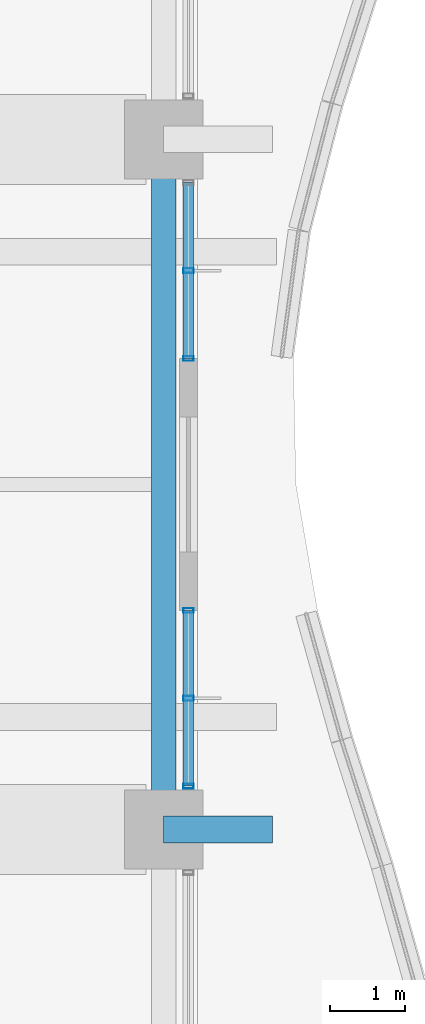
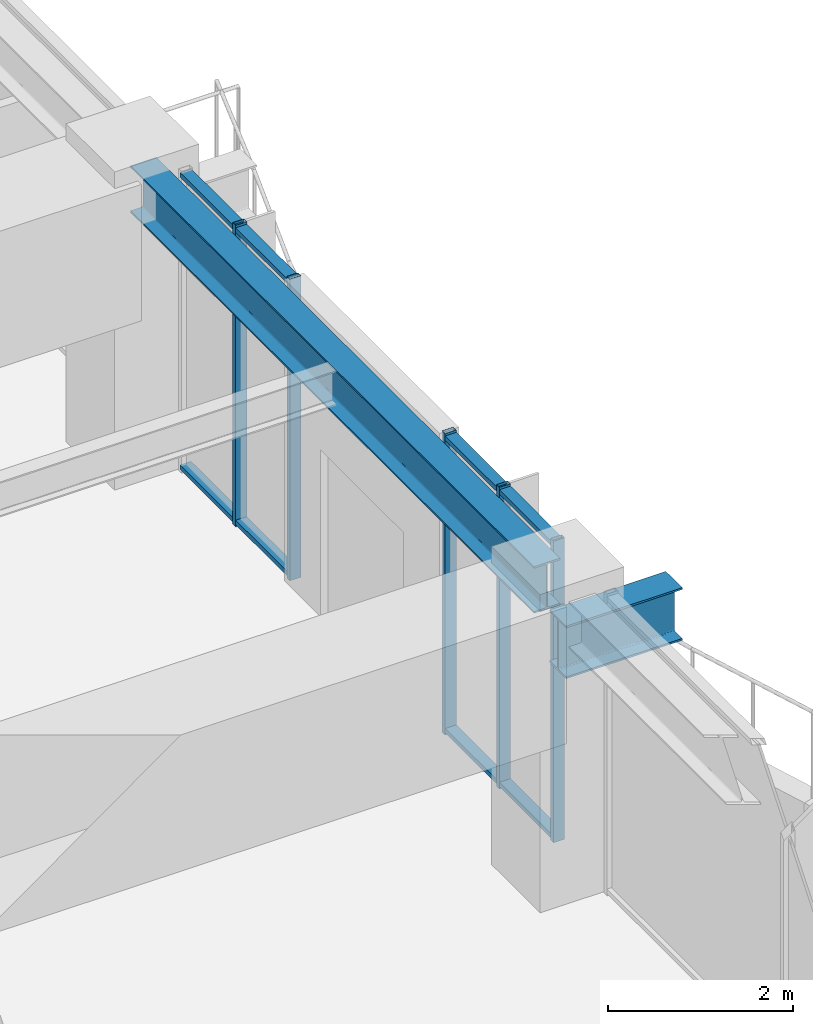
# One storey, part 17 of 40: 9 members, 2 beams, 2 elements without a shape of their own.
"""IFC4 building model written with IfcOpenShell, lengths in metres."""

from ifc_helpers import new_model, si_unit, direction, frame, origin, origin_2d, place, context, subcontext, project, spatial, hollow_rectangle, i_section, extrude, material, material_profile, profile_set, type_object, element, aggregate, save


model = new_model("IFC4")

# Units and contexts
model_context = context("Model", 3, precision=1e-05, world=origin(), true_north=direction((0.0, 1.0)))
body_context = subcontext(model_context, "Body", "Model", "MODEL_VIEW")
ifc_project = project(units=[si_unit("LENGTHUNIT", "METRE"), si_unit("AREAUNIT", "SQUARE_METRE"), si_unit("VOLUMEUNIT", "CUBIC_METRE"), si_unit("PLANEANGLEUNIT", "RADIAN"), si_unit("MASSUNIT", "GRAM", prefix="KILO")], contexts=[model_context])

# Site, building, storey
site_placement = place(None, origin())
site = spatial("IfcSite", under=ifc_project, at=site_placement, CompositionType="ELEMENT")
building_placement = place(site_placement, origin())
building = spatial("IfcBuilding", under=site, at=building_placement, Name="Kolvaren Belvedere", CompositionType="ELEMENT")
storey_placement = place(building_placement, frame((0.0, 0.0, 68.0)))
storey = spatial("IfcBuildingStorey", under=building, at=storey_placement, Name="L19", CompositionType="ELEMENT", Elevation=68.0)

# Beams
ifc_material_1 = material(Name="Structural steel ASTM A992 Grade 50", Category="steel")
ifc_material_profile_1 = material_profile(ifc_material_1, i_section(OverallWidth=0.35498046875, OverallDepth=0.696044921875, WebThickness=0.015380859375, FlangeThickness=0.02490234375, FilletRadius=0.02197265625, at=origin_2d()), Name="W27X146")
ifc_profile_set_1 = profile_set([ifc_material_profile_1], Name="Structural steel ASTM A992 Grade 50")
beam_type_1 = type_object("IfcBeamType", Name="BM-CANT-BAL", PredefinedType="BEAM", material=ifc_profile_set_1)
beam_1_placement = place(storey_placement, frame((19.949951171875, -4.60009765625, 3.0419921875), z_axis=(1.0, 0.0, 0.0), x_axis=(0.0, 1.0, 0.0)))
element("IfcBeam", 1, at=beam_1_placement, inside=storey, type_object=beam_type_1, Name="L19 East Picture-Frame Column Corbel M", PredefinedType="BEAM", context=body_context, shape_type="SweptSolid", body=[
    extrude(i_section(OverallWidth=0.35498046875, OverallDepth=0.696044921875, WebThickness=0.015380859375, FlangeThickness=0.02490234375, FilletRadius=0.02197265625, at=origin_2d()), origin(), (0.0, 0.0, 1.0), 1.449951171875),
])
ifc_material_2 = material(Name="Structural steel ASTM A992 Grade 50", Category="steel")
ifc_material_profile_2 = material_profile(ifc_material_2, i_section(OverallWidth=0.324951171875, OverallDepth=0.615966796875, WebThickness=0.013916015625, FlangeThickness=0.021484375, FilletRadius=0.02001953125, at=origin_2d()), Name="W24X117")
ifc_profile_set_2 = profile_set([ifc_material_profile_2], Name="Structural steel ASTM A992 Grade 50")
beam_type_2 = type_object("IfcBeamType", Name="BM-SPAN-W24X117", PredefinedType="SPANDREL", material=ifc_profile_set_2)
beam_2_placement = place(storey_placement, frame((19.949951171875, -4.36376953125, 3.672119140625), z_axis=(0.0, 1.0, 0.0), x_axis=(-1.0, 0.0, 0.0)))
element("IfcBeam", 2, at=beam_2_placement, inside=storey, type_object=beam_type_2, Name="L19 Perimeter Spandrel E2-E3", PredefinedType="SPANDREL", context=body_context, shape_type="SweptSolid", body=[
    extrude(i_section(OverallWidth=0.324951171875, OverallDepth=0.615966796875, WebThickness=0.013916015625, FlangeThickness=0.021484375, FilletRadius=0.02001953125, at=origin_2d()), origin(), (0.0, 0.0, 1.0), 8.7275390625),
])

# Curtain wall, members
ifc_material_3 = material(Name="Anodised pale-metal aluminium AA 6063-T6", Category="aluminium")
curtain_wall_type = type_object("IfcCurtainWallType", Name="CW-Z2-MID", PredefinedType="NOTDEFINED", material=ifc_material_3)
curtain_wall_1_placement = place(storey_placement, origin())
curtain_wall_1 = element("IfcCurtainWall", 3, at=curtain_wall_1_placement, inside=storey, type_object=curtain_wall_type, Name="L19 Unitised Curtain Wall FCW-L19-E1-B2", PredefinedType="NOTDEFINED")
ifc_material_4 = material(Name="Anodised pale-metal aluminium AA 6063-T6", Category="aluminium")
ifc_material_profile_3 = material_profile(ifc_material_4, hollow_rectangle(XDim=0.06494140625, YDim=0.139892578125, WallThickness=0.00390625, at=origin_2d()), Name="ALU-MUL-140X65")
ifc_profile_set_3 = profile_set([ifc_material_profile_3], Name="Anodised pale-metal aluminium AA 6063-T6")
member_type_1 = type_object("IfcMemberType", Name="CW-MUL-140", PredefinedType="MULLION", material=ifc_profile_set_3)
member_1_placement = place(storey_placement, frame((20.280029296875, 2.851318359375, 0.0), z_axis=(0.0, 0.0, 1.0), x_axis=(0.0, 1.0, 0.0)))
member_1 = element("IfcMember", 4, at=member_1_placement, type_object=member_type_1, Name="FCW-L19-E1-B2 Unitised Mullion 2", PredefinedType="MULLION", context=body_context, shape_type="SweptSolid", body=[
    extrude(hollow_rectangle(XDim=0.06494140625, YDim=0.139892578125, WallThickness=0.00390625, at=origin_2d()), origin(), (0.0, 0.0, 1.0), 3.97998046875),
])
member_2_placement = place(storey_placement, frame((20.280029296875, 1.679931640625, 0.0), z_axis=(0.0, 0.0, 1.0), x_axis=(0.0, 1.0, 0.0)))
member_2 = element("IfcMember", 5, at=member_2_placement, type_object=member_type_1, Name="FCW-L19-E1-B2 Unitised Mullion 3", PredefinedType="MULLION", context=body_context, shape_type="SweptSolid", body=[
    extrude(hollow_rectangle(XDim=0.06494140625, YDim=0.139892578125, WallThickness=0.00390625, at=origin_2d()), origin(), (0.0, 0.0, 1.0), 3.97998046875),
])

curtain_wall_2_placement = place(storey_placement, origin())
curtain_wall_2 = element("IfcCurtainWall", 6, at=curtain_wall_2_placement, inside=storey, type_object=curtain_wall_type, Name="L19 Unitised Curtain Wall FCW-L19-E2-B1", PredefinedType="NOTDEFINED")
member_3_placement = place(storey_placement, frame((20.280029296875, -1.679931640625, 0.0), z_axis=(0.0, 0.0, 1.0), x_axis=(0.0, 1.0, 0.0)))
member_3 = element("IfcMember", 7, at=member_3_placement, type_object=member_type_1, Name="FCW-L19-E2-B1 Unitised Mullion 1", PredefinedType="MULLION", context=body_context, shape_type="SweptSolid", body=[
    extrude(hollow_rectangle(XDim=0.06494140625, YDim=0.139892578125, WallThickness=0.00390625, at=origin_2d()), origin(), (0.0, 0.0, 1.0), 3.97998046875),
])
member_4_placement = place(storey_placement, frame((20.280029296875, -2.851318359375, 0.0), z_axis=(0.0, 0.0, 1.0), x_axis=(0.0, 1.0, 0.0)))
member_4 = element("IfcMember", 8, at=member_4_placement, type_object=member_type_1, Name="FCW-L19-E2-B1 Unitised Mullion 2", PredefinedType="MULLION", context=body_context, shape_type="SweptSolid", body=[
    extrude(hollow_rectangle(XDim=0.06494140625, YDim=0.139892578125, WallThickness=0.00390625, at=origin_2d()), origin(), (0.0, 0.0, 1.0), 3.97998046875),
])
member_5_placement = place(storey_placement, frame((20.280029296875, -4.0224609375, 0.0), z_axis=(0.0, 0.0, 1.0), x_axis=(0.0, 1.0, 0.0)))
member_5 = element("IfcMember", 9, at=member_5_placement, type_object=member_type_1, Name="FCW-L19-E2-B1 Unitised Mullion 3", PredefinedType="MULLION", context=body_context, shape_type="SweptSolid", body=[
    extrude(hollow_rectangle(XDim=0.06494140625, YDim=0.139892578125, WallThickness=0.00390625, at=origin_2d()), origin(), (0.0, 0.0, 1.0), 3.97998046875),
])

# Member
ifc_material_5 = material(Name="Anodised pale-metal aluminium AA 6063-T6", Category="aluminium")
ifc_material_profile_4 = material_profile(ifc_material_5, hollow_rectangle(XDim=0.06005859375, YDim=0.139892578125, WallThickness=0.00390625, at=origin_2d()), Name="ALU-TRN-140X60")
ifc_profile_set_4 = profile_set([ifc_material_profile_4], Name="Anodised pale-metal aluminium AA 6063-T6")
member_type_2 = type_object("IfcMemberType", Name="CW-TRN-140", PredefinedType="USERDEFINED", material=ifc_profile_set_4)
member_6_placement = place(storey_placement, frame((20.280029296875, 4.0224609375, 0.06005859375), z_axis=(0.0, -1.0, 0.0), x_axis=(0.0, 0.0, 1.0)))
member_6 = element("IfcMember", 10, at=member_6_placement, type_object=member_type_2, Name="FCW-L19-E1-B2 Sill Transom", ObjectType="TRANSOM", PredefinedType="USERDEFINED", context=body_context, shape_type="SweptSolid", body=[
    extrude(hollow_rectangle(XDim=0.06005859375, YDim=0.139892578125, WallThickness=0.00390625, at=origin_2d()), origin(), (0.0, 0.0, 1.0), 2.342529296875),
])

member_7_placement = place(storey_placement, frame((20.280029296875, 4.0224609375, 3.919921875), z_axis=(0.0, -1.0, 0.0), x_axis=(0.0, 0.0, 1.0)))
member_7 = element("IfcMember", 11, at=member_7_placement, type_object=member_type_2, Name="FCW-L19-E1-B2 Head Transom", ObjectType="TRANSOM", PredefinedType="USERDEFINED", context=body_context, shape_type="SweptSolid", body=[
    extrude(hollow_rectangle(XDim=0.06005859375, YDim=0.139892578125, WallThickness=0.00390625, at=origin_2d()), origin(), (0.0, 0.0, 1.0), 2.342529296875),
])

aggregate(curtain_wall_1, [member_1, member_2, member_6, member_7])

member_8_placement = place(storey_placement, frame((20.280029296875, -1.679931640625, 0.06005859375), z_axis=(0.0, -1.0, 0.0), x_axis=(0.0, 0.0, 1.0)))
member_8 = element("IfcMember", 12, at=member_8_placement, type_object=member_type_2, Name="FCW-L19-E2-B1 Sill Transom", ObjectType="TRANSOM", PredefinedType="USERDEFINED", context=body_context, shape_type="SweptSolid", body=[
    extrude(hollow_rectangle(XDim=0.06005859375, YDim=0.139892578125, WallThickness=0.00390625, at=origin_2d()), origin(), (0.0, 0.0, 1.0), 2.342529296875),
])

member_9_placement = place(storey_placement, frame((20.280029296875, -1.679931640625, 3.919921875), z_axis=(0.0, -1.0, 0.0), x_axis=(0.0, 0.0, 1.0)))
member_9 = element("IfcMember", 13, at=member_9_placement, type_object=member_type_2, Name="FCW-L19-E2-B1 Head Transom", ObjectType="TRANSOM", PredefinedType="USERDEFINED", context=body_context, shape_type="SweptSolid", body=[
    extrude(hollow_rectangle(XDim=0.06005859375, YDim=0.139892578125, WallThickness=0.00390625, at=origin_2d()), origin(), (0.0, 0.0, 1.0), 2.342529296875),
])

aggregate(curtain_wall_2, [member_3, member_4, member_5, member_8, member_9])

save(model, "model.ifc")
